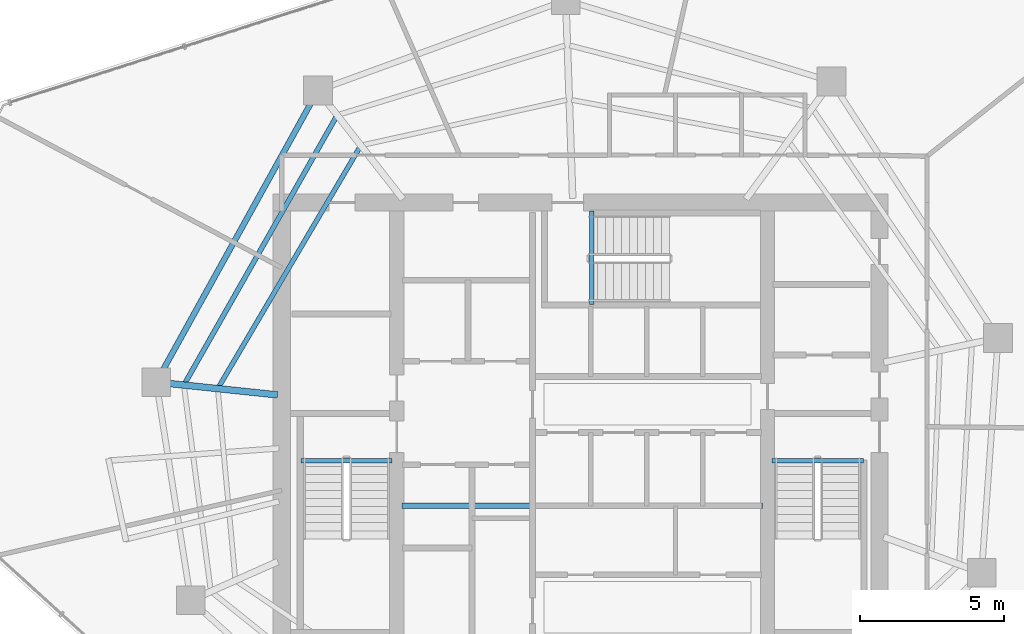
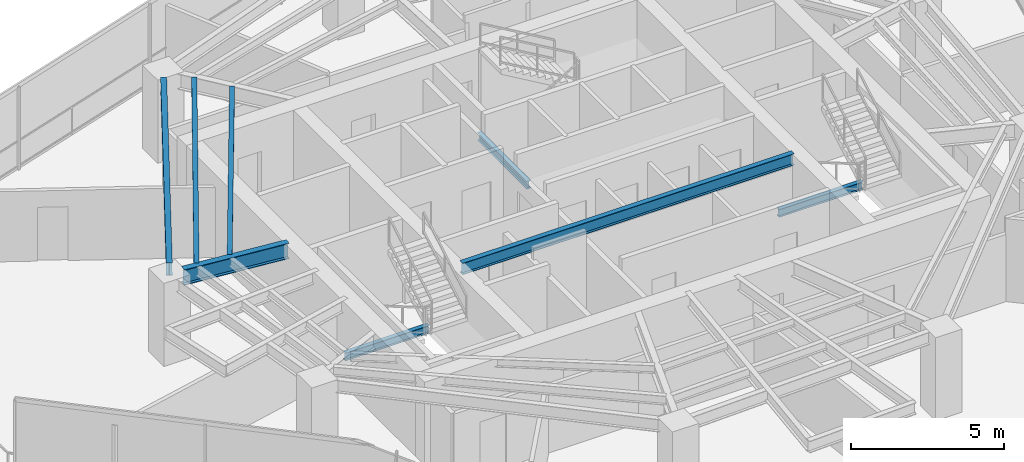
# One storey, part 7 of 21: 8 beams.
"""IFC4 building model written with IfcOpenShell, lengths in metres."""

from ifc_helpers import new_model, si_unit, direction, frame, origin, origin_2d, place, context, subcontext, project, spatial, i_section, extrude, material, material_profile, profile_set, type_object, element, save


model = new_model("IFC4")

# Units and contexts
model_context = context("Model", 3, precision=1e-05, world=origin(), true_north=direction((0.0, 1.0)))
body_context = subcontext(model_context, "Body", "Model", "MODEL_VIEW")
ifc_project = project(units=[si_unit("LENGTHUNIT", "METRE"), si_unit("AREAUNIT", "SQUARE_METRE"), si_unit("VOLUMEUNIT", "CUBIC_METRE"), si_unit("PLANEANGLEUNIT", "RADIAN"), si_unit("MASSUNIT", "GRAM", prefix="KILO")], contexts=[model_context])

# Site, building, storey
site_placement = place(None, origin())
site = spatial("IfcSite", under=ifc_project, at=site_placement, CompositionType="ELEMENT")
building_placement = place(site_placement, origin())
building = spatial("IfcBuilding", under=site, at=building_placement, Name="Qarnah Convention Tower", CompositionType="ELEMENT")
storey_placement = place(building_placement, frame((0.0, 0.0, 132.89990234375)))
storey = spatial("IfcBuildingStorey", under=building, at=storey_placement, Name="L35", CompositionType="ELEMENT", Elevation=132.89990234375)

# Beams
ifc_material = material(Name="Structural steel S355JR", Category="steel")
ifc_material_profile_1 = material_profile(ifc_material, i_section(OverallWidth=0.19189453125, OverallDepth=0.464111328125, WebThickness=0.010986328125, FlangeThickness=0.01806640625, at=origin_2d()), Name="W460X89")
ifc_profile_set_1 = profile_set([ifc_material_profile_1], Name="Structural steel S355JR")
beam_type_1 = type_object("IfcBeamType", Name="BM-CANT-W460A", PredefinedType="BEAM", material=ifc_profile_set_1)
beam_1_placement = place(storey_placement, frame((30.97998046875, 23.64990234375, 3.088134765625), z_axis=(1.0, 0.0, 0.0), x_axis=(0.0, 1.0, 0.0)))
element("IfcBeam", 1, at=beam_1_placement, inside=storey, type_object=beam_type_1, Name="L35 beam BM-L35-KC1", PredefinedType="BEAM", context=body_context, shape_type="SweptSolid", body=[
    extrude(i_section(OverallWidth=0.19189453125, OverallDepth=0.464111328125, WebThickness=0.010986328125, FlangeThickness=0.01806640625, at=origin_2d()), origin(), (0.0, 0.0, 1.0), 12.5400390625),
])
ifc_material_profile_2 = material_profile(ifc_material, i_section(OverallWidth=0.166015625, OverallDepth=0.31201171875, WebThickness=0.007080078125, FlangeThickness=0.010986328125, at=origin_2d()), Name="W310X45")
ifc_profile_set_2 = profile_set([ifc_material_profile_2], Name="Structural steel S355JR")
beam_type_2 = type_object("IfcBeamType", Name="BM-JST-W310", PredefinedType="JOIST", material=ifc_profile_set_2)
for number, where, z_axis, x_axis, name in (
    (2, (27.4599609375, 25.217041015625, -0.156005859375), (1.0, 0.0, 0.0), (0.0, 1.0, 0.0), "L35 stair landing trimmer beam BM-L35-ST1-TRM"),
    (3, (43.860107421875, 25.217041015625, -0.156005859375), (1.0, 0.0, 0.0), (0.0, 1.0, 0.0), "L35 stair landing trimmer beam BM-L35-ST2-TRM"),
):
    element("IfcBeam", number, at=place(storey_placement, frame(where, z_axis=z_axis, x_axis=x_axis)), inside=storey, type_object=beam_type_2, Name=name, PredefinedType="BEAM", context=body_context, shape_type="SweptSolid", body=[
        extrude(i_section(OverallWidth=0.166015625, OverallDepth=0.31201171875, WebThickness=0.007080078125, FlangeThickness=0.010986328125, at=origin_2d()), origin(), (0.0, 0.0, 1.0), 3.179931640625),
    ])
beam_2_placement = place(storey_placement, frame((37.5830078125, 30.659912109375, -0.156005859375), z_axis=(0.0, 1.0, 0.0), x_axis=(-1.0, 0.0, 0.0)))
element("IfcBeam", 4, at=beam_2_placement, inside=storey, type_object=beam_type_2, Name="L35 stair landing trimmer beam BM-L35-ST3-TRM", PredefinedType="BEAM", context=body_context, shape_type="SweptSolid", body=[
    extrude(i_section(OverallWidth=0.166015625, OverallDepth=0.31201171875, WebThickness=0.007080078125, FlangeThickness=0.010986328125, at=origin_2d()), origin(), (0.0, 0.0, 1.0), 3.239990234375),
])
beam_3_placement = place(storey_placement, frame((29.5048828125, 36.112060546875, 3.1640625), z_axis=(-0.507052229611, -0.861915330207, 0.0), x_axis=(0.861915330207, -0.507052229611, 0.0)))
element("IfcBeam", 5, at=beam_3_placement, inside=storey, type_object=beam_type_2, Name="L35 joist BM-L35-IJST-04", PredefinedType="JOIST", context=body_context, shape_type="SweptSolid", body=[
    extrude(i_section(OverallWidth=0.166015625, OverallDepth=0.31201171875, WebThickness=0.007080078125, FlangeThickness=0.010986328125, at=origin_2d()), origin(), (0.0, 0.0, 1.0), 9.637939453125),
])
ifc_material_profile_3 = material_profile(ifc_material, i_section(OverallWidth=0.172119140625, OverallDepth=0.35595703125, WebThickness=0.007080078125, FlangeThickness=0.011962890625, at=origin_2d()), Name="W360X51")
ifc_profile_set_3 = profile_set([ifc_material_profile_3], Name="Structural steel S355JR")
beam_type_3 = type_object("IfcBeamType", Name="BM-JST-W360", PredefinedType="JOIST", material=ifc_profile_set_3)
beam_4_placement = place(storey_placement, frame((28.68408203125, 37.166015625, 3.14208984375), z_axis=(-0.49398927148, -0.869467998067, 0.0), x_axis=(0.869467998067, -0.49398927148, 0.0)))
element("IfcBeam", 6, at=beam_4_placement, inside=storey, type_object=beam_type_3, Name="L35 joist BM-L35-SJST-04", PredefinedType="JOIST", context=body_context, shape_type="SweptSolid", body=[
    extrude(i_section(OverallWidth=0.172119140625, OverallDepth=0.35595703125, WebThickness=0.007080078125, FlangeThickness=0.011962890625, at=origin_2d()), origin(), (0.0, 0.0, 1.0), 10.623779296875),
])
ifc_material_profile_4 = material_profile(ifc_material, i_section(OverallWidth=0.22998046875, OverallDepth=0.617919921875, WebThickness=0.012939453125, FlangeThickness=0.02197265625, at=origin_2d()), Name="W610X140")
ifc_profile_set_4 = profile_set([ifc_material_profile_4], Name="Structural steel S355JR")
beam_type_4 = type_object("IfcBeamType", Name="BM-RAD-W610A", PredefinedType="BEAM", material=ifc_profile_set_4)
beam_5_placement = place(storey_placement, frame((26.65087890625, 27.509033203125, 3.010986328125), z_axis=(-0.994531015982, 0.104441649973, 0.0), x_axis=(-0.104441649973, -0.994531015982, 0.0)))
element("IfcBeam", 7, at=beam_5_placement, inside=storey, type_object=beam_type_4, Name="L35 beam BM-L35-RAD-05", PredefinedType="BEAM", context=body_context, shape_type="SweptSolid", body=[
    extrude(i_section(OverallWidth=0.22998046875, OverallDepth=0.617919921875, WebThickness=0.012939453125, FlangeThickness=0.02197265625, at=origin_2d()), origin(), (0.0, 0.0, 1.0), 3.763427734375),
])
ifc_material_profile_5 = material_profile(ifc_material, i_section(OverallWidth=0.199951171875, OverallDepth=0.5, WebThickness=0.010009765625, FlangeThickness=0.01611328125, at=origin_2d()), Name="IPE500")
ifc_profile_set_5 = profile_set([ifc_material_profile_5], Name="Structural steel S355JR")
beam_type_5 = type_object("IfcBeamType", Name="BM-SPN-IPE500", PredefinedType="SPANDREL", material=ifc_profile_set_5)
beam_6_placement = place(storey_placement, frame((27.819091796875, 37.673095703125, 3.070068359375), z_axis=(-0.48477441757, -0.874639219375, 0.0), x_axis=(0.874639219375, -0.48477441757, 0.0)))
element("IfcBeam", 8, at=beam_6_placement, inside=storey, type_object=beam_type_5, Name="L35 spandrel BM-L35-SPN-04", PredefinedType="SPANDREL", context=body_context, shape_type="SweptSolid", body=[
    extrude(i_section(OverallWidth=0.199951171875, OverallDepth=0.5, WebThickness=0.010009765625, FlangeThickness=0.01611328125, at=origin_2d()), origin(), (0.0, 0.0, 1.0), 10.623779296875),
])

save(model, "model.ifc")
